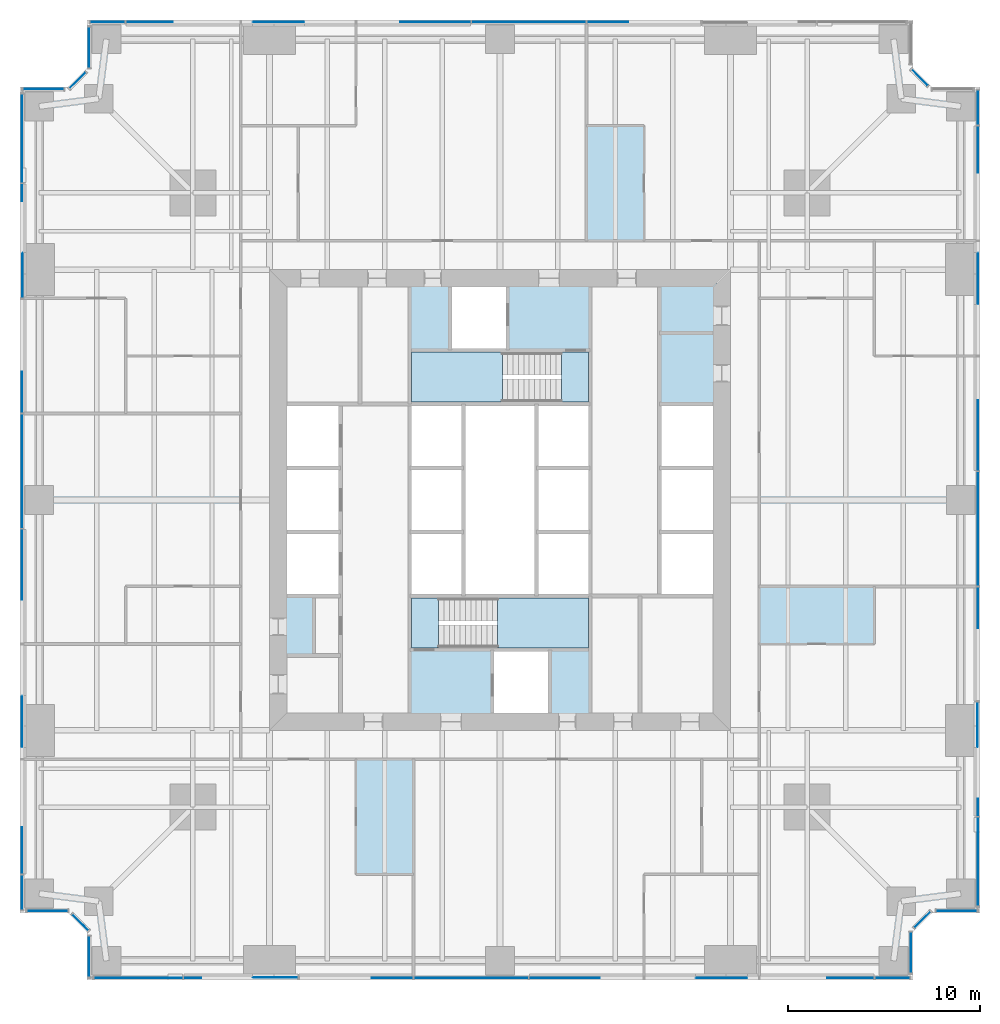
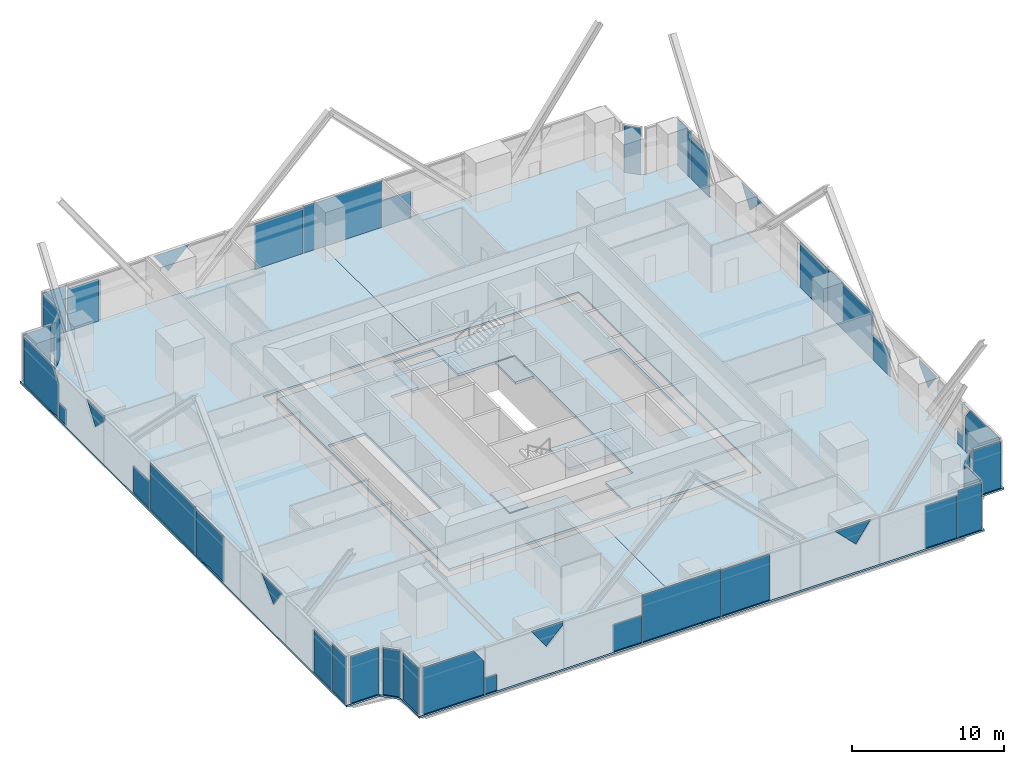
# One storey, part 8 of 13: 43 plates, 7 slabs, 16 elements without a shape of their own.
"""IFC4 building model written with IfcOpenShell, lengths in metres."""

from ifc_helpers import new_model, si_unit, direction, frame, origin, origin_2d, place, context, subcontext, project, spatial, polyline, rectangle, outline, extrude, material, layer, layer_set, type_object, element, aggregate, save


model = new_model("IFC4")

# Units and contexts
model_context = context("Model", 3, precision=1e-05, world=origin(), true_north=direction((0.0, 1.0)))
body_context = subcontext(model_context, "Body", "Model", "MODEL_VIEW")
ifc_project = project(units=[si_unit("LENGTHUNIT", "METRE"), si_unit("AREAUNIT", "SQUARE_METRE"), si_unit("VOLUMEUNIT", "CUBIC_METRE"), si_unit("PLANEANGLEUNIT", "RADIAN"), si_unit("MASSUNIT", "GRAM", prefix="KILO")], contexts=[model_context])

# Site, building, storey
site_placement = place(None, origin())
site = spatial("IfcSite", under=ifc_project, at=site_placement, CompositionType="ELEMENT")
building_placement = place(site_placement, origin())
building = spatial("IfcBuilding", under=site, at=building_placement, Name="Fenwick Lantern Interchange", CompositionType="ELEMENT")
storey_placement = place(building_placement, frame((0.0, 0.0, 55.0)))
storey = spatial("IfcBuildingStorey", under=building, at=storey_placement, Name="L12", CompositionType="ELEMENT", Elevation=55.0)

# Slabs
ifc_material_1 = material(Name="Concrete f'c 35 MPa", Category="concrete")
ifc_layer_1 = layer(ifc_material_1, 0.199951171875)
ifc_layer_set_1 = layer_set([ifc_layer_1], Name="CORE FLOOR SLAB 200")
slab_type_1 = type_object("IfcSlabType", Name="CORE FLOOR SLAB 200", PredefinedType="FLOOR", material=ifc_layer_set_1)
slab_1_placement = place(storey_placement, frame((0.0, 0.0, -0.199951171875)))
element("IfcSlab", 1, at=slab_1_placement, inside=storey, type_object=slab_type_1, Name="L12/SLAB/CORE", PredefinedType="FLOOR", context=body_context, shape_type="SweptSolid", body=[
    extrude(outline(polyline([(13.699951171875, 36.300048828125), (36.300048828125, 36.300048828125), (36.300048828125, 13.699951171875), (13.699951171875, 13.699951171875), (13.699951171875, 36.300048828125)]), holes=[polyline([(13.89990234375, 20.0), (16.699951171875, 20.0), (16.699951171875, 23.333251953125), (16.699951171875, 26.666748046875), (16.699951171875, 30.0), (13.89990234375, 30.0), (13.89990234375, 26.666748046875), (13.89990234375, 23.333251953125), (13.89990234375, 20.0)]), polyline([(20.300048828125, 20.0), (20.300048828125, 17.199951171875), (24.60009765625, 17.199951171875), (24.60009765625, 13.89990234375), (27.60009765625, 13.89990234375), (27.60009765625, 17.199951171875), (29.699951171875, 17.199951171875), (29.699951171875, 20.0), (29.699951171875, 23.333251953125), (29.699951171875, 26.666748046875), (29.699951171875, 30.0), (29.699951171875, 32.800048828125), (25.39990234375, 32.800048828125), (25.39990234375, 36.10009765625), (22.39990234375, 36.10009765625), (22.39990234375, 32.800048828125), (20.300048828125, 32.800048828125), (20.300048828125, 30.0), (20.300048828125, 26.666748046875), (20.300048828125, 23.333251953125), (20.300048828125, 20.0)]), polyline([(33.300048828125, 23.333251953125), (33.300048828125, 20.0), (36.10009765625, 20.0), (36.10009765625, 23.333251953125), (36.10009765625, 26.666748046875), (36.10009765625, 30.0), (33.300048828125, 30.0), (33.300048828125, 26.666748046875), (33.300048828125, 23.333251953125)])]), origin(), (0.0, 0.0, 1.0), 0.199951171875),
])
ifc_material_2 = material(Name="Concrete f'c 35 MPa", Category="concrete")
ifc_layer_2 = layer(ifc_material_2, 0.14990234375)
ifc_layer_set_2 = layer_set([ifc_layer_2], Name="Concrete f'c 35 MPa")
slab_type_2 = type_object("IfcSlabType", Name="FLOOR SLAB 150", PredefinedType="FLOOR", material=ifc_layer_set_2)
slab_2_placement = place(storey_placement, frame((0.0, 0.0, -0.14990234375)))
element("IfcSlab", 2, at=slab_2_placement, inside=storey, type_object=slab_type_2, Name="L12/SLAB/FW", PredefinedType="FLOOR", context=body_context, shape_type="SweptSolid", body=[
    extrude(outline(polyline([(3.5, 0.0), (3.5, 2.5), (2.5, 3.5), (0.0, 3.5), (0.0, 46.5), (2.5, 46.5), (3.5, 47.5), (3.5, 50.0), (25.0, 50.0), (25.0, 37.0), (13.0, 37.0), (13.0, 13.0), (25.0, 13.0), (25.0, 0.0), (3.5, 0.0)])), origin(), (0.0, 0.0, 1.0), 0.14990234375),
])
slab_3_placement = place(storey_placement, frame((0.0, 0.0, -0.14990234375)))
element("IfcSlab", 3, at=slab_3_placement, inside=storey, type_object=slab_type_2, Name="L12/SLAB/FE", PredefinedType="FLOOR", context=body_context, shape_type="SweptSolid", body=[
    extrude(outline(polyline([(46.5, 50.0), (46.5, 47.5), (47.5, 46.5), (50.0, 46.5), (50.0, 3.5), (47.5, 3.5), (46.5, 2.5), (46.5, 0.0), (25.0, 0.0), (25.0, 13.0), (37.0, 13.0), (37.0, 37.0), (25.0, 37.0), (25.0, 50.0), (46.5, 50.0)])), origin(), (0.0, 0.0, 1.0), 0.14990234375),
])

# Curtain wall, plates
ifc_material_3 = material(Name="Aluminium curtain wall frame", Category="aluminium")
curtain_wall_type = type_object("IfcCurtainWallType", Name="OFFICE CURTAIN WALL", PredefinedType="USERDEFINED", material=ifc_material_3)
curtain_wall_1_placement = place(storey_placement, origin())
curtain_wall_1 = element("IfcCurtainWall", 4, at=curtain_wall_1_placement, inside=storey, type_object=curtain_wall_type, Name="Office curtain wall 01", ObjectType="OFFICE CURTAIN WALL", PredefinedType="USERDEFINED")
ifc_material_4 = material(Name="Vision glass, clear low-iron double glazed", Category="glass")
ifc_layer_3 = layer(ifc_material_4, 0.031982421875)
ifc_layer_set_3 = layer_set([ifc_layer_3], Name="OFFICE CURTAIN WALL PANEL 32")
plate_type = type_object("IfcPlateType", Name="OFFICE CURTAIN WALL PANEL 32", PredefinedType="CURTAIN_PANEL", material=ifc_layer_set_3)
plate_1_placement = place(storey_placement, frame((3.60009765625, 0.10009765625, 0.0), z_axis=(0.0, 0.0, 1.0), x_axis=(1.0, 0.0, 0.0)))
plate_1 = element("IfcPlate", 5, at=plate_1_placement, type_object=plate_type, Name="L12/CW/01/P00a", PredefinedType="CURTAIN_PANEL", context=body_context, shape_type="SweptSolid", body=[
    extrude(outline(polyline([(0.264892578125, 0.0), (4.867431640625, 0.0), (4.867431640625, 2.6787109375), (4.108642578125, 3.75), (0.264892578125, 3.75), (0.264892578125, 0.0)])), frame((0.0, 0.01611328125, 0.0), z_axis=(0.0, -1.0, 0.0), x_axis=(1.0, 0.0, 0.0)), (0.0, 0.0, 1.0), 0.031982421875),
])
plate_2_placement = place(storey_placement, frame((3.60009765625, 0.10009765625, 0.0), z_axis=(0.0, 0.0, 1.0), x_axis=(1.0, 0.0, 0.0)))
plate_2 = element("IfcPlate", 6, at=plate_2_placement, type_object=plate_type, Name="L12/CW/01/P01a", PredefinedType="CURTAIN_PANEL", context=body_context, shape_type="SweptSolid", body=[
    extrude(outline(polyline([(4.9326171875, 0.0), (5.847412109375, 0.0), (5.847412109375, 1.295166015625), (4.9326171875, 1.295166015625), (4.9326171875, 0.0)])), frame((0.0, 0.01611328125, 0.0), z_axis=(0.0, -1.0, 0.0), x_axis=(1.0, 0.0, 0.0)), (0.0, 0.0, 1.0), 0.031982421875),
])
plate_3_placement = place(storey_placement, frame((3.60009765625, 0.10009765625, 2.17529296875), z_axis=(0.0, 0.0, 1.0), x_axis=(1.0, 0.0, 0.0)))
plate_3 = element("IfcPlate", 7, at=plate_3_placement, type_object=plate_type, Name="L12/CW/01/P01b", PredefinedType="CURTAIN_PANEL", context=body_context, shape_type="SweptSolid", body=[
    extrude(outline(polyline([(9.6357421875, 0.0), (10.867431640625, 1.231689453125), (10.867431640625, 1.57470703125), (8.520263671875, 1.57470703125), (9.6357421875, 0.0)])), frame((0.0, 0.0498046875, 0.0), z_axis=(0.0, -1.0, 0.0), x_axis=(1.0, 0.0, 0.0)), (0.0, 0.0, 1.0), 0.031982421875),
])
plate_4_placement = place(storey_placement, frame((3.60009765625, 0.10009765625, 0.0), z_axis=(0.0, 0.0, 1.0), x_axis=(1.0, 0.0, 0.0)))
plate_4 = element("IfcPlate", 8, at=plate_4_placement, type_object=plate_type, Name="L12/CW/01/P02a", PredefinedType="CURTAIN_PANEL", context=body_context, shape_type="SweptSolid", body=[
    extrude(outline(polyline([(14.711669921875, 0.0), (16.867431640625, 0.0), (16.867431640625, 2.159912109375), (14.711669921875, 2.159912109375), (14.711669921875, 0.0)])), frame((0.0, 0.01611328125, 0.0), z_axis=(0.0, -1.0, 0.0), x_axis=(1.0, 0.0, 0.0)), (0.0, 0.0, 1.0), 0.031982421875),
])
plate_5_placement = place(storey_placement, frame((23.5, 0.10009765625, 0.0), z_axis=(0.0, 0.0, 1.0), x_axis=(1.0, 0.0, 0.0)))
plate_5 = element("IfcPlate", 9, at=plate_5_placement, type_object=plate_type, Name="L12/CW/01/P03", PredefinedType="CURTAIN_PANEL", context=body_context, shape_type="SweptSolid", body=[
    extrude(rectangle(XDim=5.93505859375, YDim=0.031982421875, at=origin_2d()), origin(), (0.0, 0.0, 1.0), 3.75),
])
plate_6_placement = place(storey_placement, frame((3.60009765625, 0.10009765625, 0.0), z_axis=(0.0, 0.0, 1.0), x_axis=(1.0, 0.0, 0.0)))
plate_6 = element("IfcPlate", 10, at=plate_6_placement, type_object=plate_type, Name="L12/CW/01/P04a", PredefinedType="CURTAIN_PANEL", context=body_context, shape_type="SweptSolid", body=[
    extrude(outline(polyline([(22.9326171875, 0.0), (26.592529296875, 0.0), (26.592529296875, 3.656005859375), (22.9326171875, 3.656005859375), (22.9326171875, 0.0)])), frame((0.0, 0.01611328125, 0.0), z_axis=(0.0, -1.0, 0.0), x_axis=(1.0, 0.0, 0.0)), (0.0, 0.0, 1.0), 0.031982421875),
])
plate_7_placement = place(storey_placement, frame((3.60009765625, 0.10009765625, 2.17529296875), z_axis=(0.0, 0.0, 1.0), x_axis=(1.0, 0.0, 0.0)))
plate_7 = element("IfcPlate", 11, at=plate_7_placement, type_object=plate_type, Name="L12/CW/01/P05a", PredefinedType="CURTAIN_PANEL", context=body_context, shape_type="SweptSolid", body=[
    extrude(outline(polyline([(33.164306640625, 0.0), (34.27978515625, 1.57470703125), (31.589599609375, 1.57470703125), (33.164306640625, 0.0)])), frame((0.0, 0.01611328125, 0.0), z_axis=(0.0, -1.0, 0.0), x_axis=(1.0, 0.0, 0.0)), (0.0, 0.0, 1.0), 0.031982421875),
])
plate_8_placement = place(storey_placement, frame((3.60009765625, 0.10009765625, 0.0), z_axis=(0.0, 0.0, 1.0), x_axis=(1.0, 0.0, 0.0)))
plate_8 = element("IfcPlate", 12, at=plate_8_placement, type_object=plate_type, Name="L12/CW/01/P06a", PredefinedType="CURTAIN_PANEL", context=body_context, shape_type="SweptSolid", body=[
    extrude(outline(polyline([(38.449951171875, 0.0), (40.867431640625, 0.0), (40.867431640625, 3.409423828125), (38.449951171875, 3.409423828125), (38.449951171875, 0.0)])), frame((0.0, 0.01611328125, 0.0), z_axis=(0.0, -1.0, 0.0), x_axis=(1.0, 0.0, 0.0)), (0.0, 0.0, 1.0), 0.031982421875),
])
plate_9_placement = place(storey_placement, frame((45.433837890625, 0.10009765625, 0.0), z_axis=(0.0, 0.0, 1.0), x_axis=(1.0, 0.0, 0.0)))
plate_9 = element("IfcPlate", 13, at=plate_9_placement, type_object=plate_type, Name="L12/CW/01/P07", PredefinedType="CURTAIN_PANEL", context=body_context, shape_type="SweptSolid", body=[
    extrude(rectangle(XDim=1.802490234375, YDim=0.031982421875, at=origin_2d()), origin(), (0.0, 0.0, 1.0), 3.75),
])
aggregate(curtain_wall_1, [plate_1, plate_2, plate_3, plate_4, plate_5, plate_6, plate_7, plate_8, plate_9])

# Curtain wall, plate
curtain_wall_2_placement = place(storey_placement, origin())
curtain_wall_2 = element("IfcCurtainWall", 14, at=curtain_wall_2_placement, inside=storey, type_object=curtain_wall_type, Name="Office curtain wall 02", ObjectType="OFFICE CURTAIN WALL", PredefinedType="USERDEFINED")
plate_10_placement = place(storey_placement, frame((46.39990234375, 1.420654296875, 0.0), z_axis=(0.0, 0.0, 1.0), x_axis=(0.0, 1.0, 0.0)))
plate_10 = element("IfcPlate", 15, at=plate_10_placement, type_object=plate_type, Name="L12/CW/02/P00", PredefinedType="CURTAIN_PANEL", context=body_context, shape_type="SweptSolid", body=[
    extrude(rectangle(XDim=2.111328125, YDim=0.031982421875, at=origin_2d()), origin(), (0.0, 0.0, 1.0), 3.75),
])
aggregate(curtain_wall_2, [plate_10])

curtain_wall_3_placement = place(storey_placement, origin())
curtain_wall_3 = element("IfcCurtainWall", 16, at=curtain_wall_3_placement, inside=storey, type_object=curtain_wall_type, Name="Office curtain wall 03", ObjectType="OFFICE CURTAIN WALL", PredefinedType="USERDEFINED")
plate_11_placement = place(storey_placement, frame((47.0, 3.141357421875, 0.0), z_axis=(0.0, 0.0, 1.0), x_axis=(0.707106781187, 0.707106781187, 0.0)))
plate_11 = element("IfcPlate", 17, at=plate_11_placement, type_object=plate_type, Name="L12/CW/03/P00", PredefinedType="CURTAIN_PANEL", context=body_context, shape_type="SweptSolid", body=[
    extrude(rectangle(XDim=1.1669921875, YDim=0.031982421875, at=origin_2d()), origin(), (0.0, 0.0, 1.0), 3.75),
])
aggregate(curtain_wall_3, [plate_11])

curtain_wall_4_placement = place(storey_placement, origin())
curtain_wall_4 = element("IfcCurtainWall", 18, at=curtain_wall_4_placement, inside=storey, type_object=curtain_wall_type, Name="Office curtain wall 04", ObjectType="OFFICE CURTAIN WALL", PredefinedType="USERDEFINED")
plate_12_placement = place(storey_placement, frame((48.779296875, 3.60009765625, 0.0), z_axis=(0.0, 0.0, 1.0), x_axis=(1.0, 0.0, 0.0)))
plate_12 = element("IfcPlate", 19, at=plate_12_placement, type_object=plate_type, Name="L12/CW/04/P00", PredefinedType="CURTAIN_PANEL", context=body_context, shape_type="SweptSolid", body=[
    extrude(rectangle(XDim=2.111328125, YDim=0.031982421875, at=origin_2d()), origin(), (0.0, 0.0, 1.0), 3.75),
])
aggregate(curtain_wall_4, [plate_12])

# Curtain wall, plates
curtain_wall_5_placement = place(storey_placement, origin())
curtain_wall_5 = element("IfcCurtainWall", 20, at=curtain_wall_5_placement, inside=storey, type_object=curtain_wall_type, Name="Office curtain wall 05", ObjectType="OFFICE CURTAIN WALL", PredefinedType="USERDEFINED")
plate_13_placement = place(storey_placement, frame((49.89990234375, 3.60009765625, 0.0), z_axis=(0.0, 0.0, 1.0), x_axis=(0.0, 1.0, 0.0)))
plate_13 = element("IfcPlate", 21, at=plate_13_placement, type_object=plate_type, Name="L12/CW/05/P00a", PredefinedType="CURTAIN_PANEL", context=body_context, shape_type="SweptSolid", body=[
    extrude(outline(polyline([(0.264892578125, 0.0), (4.867431640625, 0.0), (4.867431640625, 2.6787109375), (4.108642578125, 3.75), (0.264892578125, 3.75), (0.264892578125, 0.0)])), frame((0.0, 0.01611328125, 0.0), z_axis=(0.0, -1.0, 0.0), x_axis=(1.0, 0.0, 0.0)), (0.0, 0.0, 1.0), 0.031982421875),
])
plate_14_placement = place(storey_placement, frame((49.89990234375, 3.60009765625, 0.0), z_axis=(0.0, 0.0, 1.0), x_axis=(0.0, 1.0, 0.0)))
plate_14 = element("IfcPlate", 22, at=plate_14_placement, type_object=plate_type, Name="L12/CW/05/P01a", PredefinedType="CURTAIN_PANEL", context=body_context, shape_type="SweptSolid", body=[
    extrude(outline(polyline([(4.9326171875, 0.0), (5.847412109375, 0.0), (5.847412109375, 1.295166015625), (4.9326171875, 1.295166015625), (4.9326171875, 0.0)])), frame((0.0, 0.01611328125, 0.0), z_axis=(0.0, -1.0, 0.0), x_axis=(1.0, 0.0, 0.0)), (0.0, 0.0, 1.0), 0.031982421875),
])
plate_15_placement = place(storey_placement, frame((49.89990234375, 3.60009765625, 2.17529296875), z_axis=(0.0, 0.0, 1.0), x_axis=(0.0, 1.0, 0.0)))
plate_15 = element("IfcPlate", 23, at=plate_15_placement, type_object=plate_type, Name="L12/CW/05/P01b", PredefinedType="CURTAIN_PANEL", context=body_context, shape_type="SweptSolid", body=[
    extrude(outline(polyline([(9.6357421875, 0.0), (10.867431640625, 1.231689453125), (10.867431640625, 1.57470703125), (8.520263671875, 1.57470703125), (9.6357421875, 0.0)])), frame((0.0, 0.0498046875, 0.0), z_axis=(0.0, -1.0, 0.0), x_axis=(1.0, 0.0, 0.0)), (0.0, 0.0, 1.0), 0.031982421875),
])
plate_16_placement = place(storey_placement, frame((49.89990234375, 3.60009765625, 0.0), z_axis=(0.0, 0.0, 1.0), x_axis=(0.0, 1.0, 0.0)))
plate_16 = element("IfcPlate", 24, at=plate_16_placement, type_object=plate_type, Name="L12/CW/05/P02a", PredefinedType="CURTAIN_PANEL", context=body_context, shape_type="SweptSolid", body=[
    extrude(outline(polyline([(14.711669921875, 0.0), (16.867431640625, 0.0), (16.867431640625, 2.159912109375), (14.711669921875, 2.159912109375), (14.711669921875, 0.0)])), frame((0.0, 0.01611328125, 0.0), z_axis=(0.0, -1.0, 0.0), x_axis=(1.0, 0.0, 0.0)), (0.0, 0.0, 1.0), 0.031982421875),
])
plate_17_placement = place(storey_placement, frame((49.89990234375, 23.5, 0.0), z_axis=(0.0, 0.0, 1.0), x_axis=(0.0, 1.0, 0.0)))
plate_17 = element("IfcPlate", 25, at=plate_17_placement, type_object=plate_type, Name="L12/CW/05/P03", PredefinedType="CURTAIN_PANEL", context=body_context, shape_type="SweptSolid", body=[
    extrude(rectangle(XDim=5.93505859375, YDim=0.031982421875, at=origin_2d()), origin(), (0.0, 0.0, 1.0), 3.75),
])
plate_18_placement = place(storey_placement, frame((49.89990234375, 3.60009765625, 0.0), z_axis=(0.0, 0.0, 1.0), x_axis=(0.0, 1.0, 0.0)))
plate_18 = element("IfcPlate", 26, at=plate_18_placement, type_object=plate_type, Name="L12/CW/05/P04a", PredefinedType="CURTAIN_PANEL", context=body_context, shape_type="SweptSolid", body=[
    extrude(outline(polyline([(22.9326171875, 0.0), (26.592529296875, 0.0), (26.592529296875, 3.656005859375), (22.9326171875, 3.656005859375), (22.9326171875, 0.0)])), frame((0.0, 0.01611328125, 0.0), z_axis=(0.0, -1.0, 0.0), x_axis=(1.0, 0.0, 0.0)), (0.0, 0.0, 1.0), 0.031982421875),
])
plate_19_placement = place(storey_placement, frame((49.89990234375, 3.60009765625, 2.17529296875), z_axis=(0.0, 0.0, 1.0), x_axis=(0.0, 1.0, 0.0)))
plate_19 = element("IfcPlate", 27, at=plate_19_placement, type_object=plate_type, Name="L12/CW/05/P05a", PredefinedType="CURTAIN_PANEL", context=body_context, shape_type="SweptSolid", body=[
    extrude(outline(polyline([(33.164306640625, 0.0), (34.27978515625, 1.57470703125), (31.589599609375, 1.57470703125), (33.164306640625, 0.0)])), frame((0.0, 0.01611328125, 0.0), z_axis=(0.0, -1.0, 0.0), x_axis=(1.0, 0.0, 0.0)), (0.0, 0.0, 1.0), 0.031982421875),
])
plate_20_placement = place(storey_placement, frame((49.89990234375, 3.60009765625, 0.0), z_axis=(0.0, 0.0, 1.0), x_axis=(0.0, 1.0, 0.0)))
plate_20 = element("IfcPlate", 28, at=plate_20_placement, type_object=plate_type, Name="L12/CW/05/P06a", PredefinedType="CURTAIN_PANEL", context=body_context, shape_type="SweptSolid", body=[
    extrude(outline(polyline([(38.449951171875, 0.0), (40.867431640625, 0.0), (40.867431640625, 3.409423828125), (38.449951171875, 3.409423828125), (38.449951171875, 0.0)])), frame((0.0, 0.01611328125, 0.0), z_axis=(0.0, -1.0, 0.0), x_axis=(1.0, 0.0, 0.0)), (0.0, 0.0, 1.0), 0.031982421875),
])
plate_21_placement = place(storey_placement, frame((49.89990234375, 45.433837890625, 0.0), z_axis=(0.0, 0.0, 1.0), x_axis=(0.0, 1.0, 0.0)))
plate_21 = element("IfcPlate", 29, at=plate_21_placement, type_object=plate_type, Name="L12/CW/05/P07", PredefinedType="CURTAIN_PANEL", context=body_context, shape_type="SweptSolid", body=[
    extrude(rectangle(XDim=1.802490234375, YDim=0.031982421875, at=origin_2d()), origin(), (0.0, 0.0, 1.0), 3.75),
])
aggregate(curtain_wall_5, [plate_13, plate_14, plate_15, plate_16, plate_17, plate_18, plate_19, plate_20, plate_21])

# Curtain wall, plate
curtain_wall_6_placement = place(storey_placement, origin())
curtain_wall_6 = element("IfcCurtainWall", 30, at=curtain_wall_6_placement, inside=storey, type_object=curtain_wall_type, Name="Office curtain wall 07", ObjectType="OFFICE CURTAIN WALL", PredefinedType="USERDEFINED")
plate_22_placement = place(storey_placement, frame((46.858642578125, 47.0, 0.0), z_axis=(0.0, 0.0, 1.0), x_axis=(-0.707106781187, 0.707106781187, 0.0)))
plate_22 = element("IfcPlate", 31, at=plate_22_placement, type_object=plate_type, Name="L12/CW/07/P00", PredefinedType="CURTAIN_PANEL", context=body_context, shape_type="SweptSolid", body=[
    extrude(rectangle(XDim=1.1669921875, YDim=0.031982421875, at=origin_2d()), origin(), (0.0, 0.0, 1.0), 3.75),
])
aggregate(curtain_wall_6, [plate_22])

# Curtain wall, plates
curtain_wall_7_placement = place(storey_placement, origin())
curtain_wall_7 = element("IfcCurtainWall", 32, at=curtain_wall_7_placement, inside=storey, type_object=curtain_wall_type, Name="Office curtain wall 09", ObjectType="OFFICE CURTAIN WALL", PredefinedType="USERDEFINED")
plate_23_placement = place(storey_placement, frame((46.39990234375, 49.89990234375, 0.0), z_axis=(0.0, 0.0, 1.0), x_axis=(-1.0, 0.0, 0.0)))
plate_23 = element("IfcPlate", 33, at=plate_23_placement, type_object=plate_type, Name="L12/CW/09/P02a", PredefinedType="CURTAIN_PANEL", context=body_context, shape_type="SweptSolid", body=[
    extrude(outline(polyline([(14.711669921875, 0.0), (16.867431640625, 0.0), (16.867431640625, 2.159912109375), (14.711669921875, 2.159912109375), (14.711669921875, 0.0)])), frame((0.0, 0.01611328125, 0.0), z_axis=(0.0, -1.0, 0.0), x_axis=(1.0, 0.0, 0.0)), (0.0, 0.0, 1.0), 0.031982421875),
])
plate_24_placement = place(storey_placement, frame((26.5, 49.89990234375, 0.0), z_axis=(0.0, 0.0, 1.0), x_axis=(-1.0, 0.0, 0.0)))
plate_24 = element("IfcPlate", 34, at=plate_24_placement, type_object=plate_type, Name="L12/CW/09/P03", PredefinedType="CURTAIN_PANEL", context=body_context, shape_type="SweptSolid", body=[
    extrude(rectangle(XDim=5.93505859375, YDim=0.031982421875, at=origin_2d()), origin(), (0.0, 0.0, 1.0), 3.75),
])
plate_25_placement = place(storey_placement, frame((46.39990234375, 49.89990234375, 0.0), z_axis=(0.0, 0.0, 1.0), x_axis=(-1.0, 0.0, 0.0)))
plate_25 = element("IfcPlate", 35, at=plate_25_placement, type_object=plate_type, Name="L12/CW/09/P04a", PredefinedType="CURTAIN_PANEL", context=body_context, shape_type="SweptSolid", body=[
    extrude(outline(polyline([(22.9326171875, 0.0), (26.592529296875, 0.0), (26.592529296875, 3.656005859375), (22.9326171875, 3.656005859375), (22.9326171875, 0.0)])), frame((0.0, 0.01611328125, 0.0), z_axis=(0.0, -1.0, 0.0), x_axis=(1.0, 0.0, 0.0)), (0.0, 0.0, 1.0), 0.031982421875),
])
plate_26_placement = place(storey_placement, frame((46.39990234375, 49.89990234375, 2.17529296875), z_axis=(0.0, 0.0, 1.0), x_axis=(-1.0, 0.0, 0.0)))
plate_26 = element("IfcPlate", 36, at=plate_26_placement, type_object=plate_type, Name="L12/CW/09/P05a", PredefinedType="CURTAIN_PANEL", context=body_context, shape_type="SweptSolid", body=[
    extrude(outline(polyline([(33.164306640625, 0.0), (34.27978515625, 1.57470703125), (31.589599609375, 1.57470703125), (33.164306640625, 0.0)])), frame((0.0, 0.01611328125, 0.0), z_axis=(0.0, -1.0, 0.0), x_axis=(1.0, 0.0, 0.0)), (0.0, 0.0, 1.0), 0.031982421875),
])
plate_27_placement = place(storey_placement, frame((46.39990234375, 49.89990234375, 0.0), z_axis=(0.0, 0.0, 1.0), x_axis=(-1.0, 0.0, 0.0)))
plate_27 = element("IfcPlate", 37, at=plate_27_placement, type_object=plate_type, Name="L12/CW/09/P06a", PredefinedType="CURTAIN_PANEL", context=body_context, shape_type="SweptSolid", body=[
    extrude(outline(polyline([(38.449951171875, 0.0), (40.867431640625, 0.0), (40.867431640625, 3.409423828125), (38.449951171875, 3.409423828125), (38.449951171875, 0.0)])), frame((0.0, 0.01611328125, 0.0), z_axis=(0.0, -1.0, 0.0), x_axis=(1.0, 0.0, 0.0)), (0.0, 0.0, 1.0), 0.031982421875),
])
plate_28_placement = place(storey_placement, frame((4.566162109375, 49.89990234375, 0.0), z_axis=(0.0, 0.0, 1.0), x_axis=(-1.0, 0.0, 0.0)))
plate_28 = element("IfcPlate", 38, at=plate_28_placement, type_object=plate_type, Name="L12/CW/09/P07", PredefinedType="CURTAIN_PANEL", context=body_context, shape_type="SweptSolid", body=[
    extrude(rectangle(XDim=1.802490234375, YDim=0.031982421875, at=origin_2d()), origin(), (0.0, 0.0, 1.0), 3.75),
])
aggregate(curtain_wall_7, [plate_23, plate_24, plate_25, plate_26, plate_27, plate_28])

# Curtain wall, plate
curtain_wall_8_placement = place(storey_placement, origin())
curtain_wall_8 = element("IfcCurtainWall", 39, at=curtain_wall_8_placement, inside=storey, type_object=curtain_wall_type, Name="Office curtain wall 10", ObjectType="OFFICE CURTAIN WALL", PredefinedType="USERDEFINED")
plate_29_placement = place(storey_placement, frame((3.60009765625, 48.579345703125, 0.0), z_axis=(0.0, 0.0, 1.0), x_axis=(0.0, -1.0, 0.0)))
plate_29 = element("IfcPlate", 40, at=plate_29_placement, type_object=plate_type, Name="L12/CW/10/P00", PredefinedType="CURTAIN_PANEL", context=body_context, shape_type="SweptSolid", body=[
    extrude(rectangle(XDim=2.111328125, YDim=0.031982421875, at=origin_2d()), origin(), (0.0, 0.0, 1.0), 3.75),
])
aggregate(curtain_wall_8, [plate_29])

curtain_wall_9_placement = place(storey_placement, origin())
curtain_wall_9 = element("IfcCurtainWall", 41, at=curtain_wall_9_placement, inside=storey, type_object=curtain_wall_type, Name="Office curtain wall 11", ObjectType="OFFICE CURTAIN WALL", PredefinedType="USERDEFINED")
plate_30_placement = place(storey_placement, frame((3.0, 46.858642578125, 0.0), z_axis=(0.0, 0.0, 1.0), x_axis=(-0.707106781187, -0.707106781187, 0.0)))
plate_30 = element("IfcPlate", 42, at=plate_30_placement, type_object=plate_type, Name="L12/CW/11/P00", PredefinedType="CURTAIN_PANEL", context=body_context, shape_type="SweptSolid", body=[
    extrude(rectangle(XDim=1.1669921875, YDim=0.031982421875, at=origin_2d()), origin(), (0.0, 0.0, 1.0), 3.75),
])
aggregate(curtain_wall_9, [plate_30])

curtain_wall_10_placement = place(storey_placement, origin())
curtain_wall_10 = element("IfcCurtainWall", 43, at=curtain_wall_10_placement, inside=storey, type_object=curtain_wall_type, Name="Office curtain wall 12", ObjectType="OFFICE CURTAIN WALL", PredefinedType="USERDEFINED")
plate_31_placement = place(storey_placement, frame((1.220703125, 46.39990234375, 0.0), z_axis=(0.0, 0.0, 1.0), x_axis=(-1.0, 0.0, 0.0)))
plate_31 = element("IfcPlate", 44, at=plate_31_placement, type_object=plate_type, Name="L12/CW/12/P00", PredefinedType="CURTAIN_PANEL", context=body_context, shape_type="SweptSolid", body=[
    extrude(rectangle(XDim=2.111328125, YDim=0.031982421875, at=origin_2d()), origin(), (0.0, 0.0, 1.0), 3.75),
])
aggregate(curtain_wall_10, [plate_31])

# Curtain wall, plates
curtain_wall_11_placement = place(storey_placement, origin())
curtain_wall_11 = element("IfcCurtainWall", 45, at=curtain_wall_11_placement, inside=storey, type_object=curtain_wall_type, Name="Office curtain wall 13", ObjectType="OFFICE CURTAIN WALL", PredefinedType="USERDEFINED")
plate_32_placement = place(storey_placement, frame((0.10009765625, 46.39990234375, 0.0), z_axis=(0.0, 0.0, 1.0), x_axis=(0.0, -1.0, 0.0)))
plate_32 = element("IfcPlate", 46, at=plate_32_placement, type_object=plate_type, Name="L12/CW/13/P00a", PredefinedType="CURTAIN_PANEL", context=body_context, shape_type="SweptSolid", body=[
    extrude(outline(polyline([(0.264892578125, 0.0), (4.867431640625, 0.0), (4.867431640625, 2.6787109375), (4.108642578125, 3.75), (0.264892578125, 3.75), (0.264892578125, 0.0)])), frame((0.0, 0.01611328125, 0.0), z_axis=(0.0, -1.0, 0.0), x_axis=(1.0, 0.0, 0.0)), (0.0, 0.0, 1.0), 0.031982421875),
])
plate_33_placement = place(storey_placement, frame((0.10009765625, 46.39990234375, 0.0), z_axis=(0.0, 0.0, 1.0), x_axis=(0.0, -1.0, 0.0)))
plate_33 = element("IfcPlate", 47, at=plate_33_placement, type_object=plate_type, Name="L12/CW/13/P01a", PredefinedType="CURTAIN_PANEL", context=body_context, shape_type="SweptSolid", body=[
    extrude(outline(polyline([(4.9326171875, 0.0), (5.847412109375, 0.0), (5.847412109375, 1.295166015625), (4.9326171875, 1.295166015625), (4.9326171875, 0.0)])), frame((0.0, 0.01611328125, 0.0), z_axis=(0.0, -1.0, 0.0), x_axis=(1.0, 0.0, 0.0)), (0.0, 0.0, 1.0), 0.031982421875),
])
plate_34_placement = place(storey_placement, frame((0.10009765625, 46.39990234375, 2.17529296875), z_axis=(0.0, 0.0, 1.0), x_axis=(0.0, -1.0, 0.0)))
plate_34 = element("IfcPlate", 48, at=plate_34_placement, type_object=plate_type, Name="L12/CW/13/P01b", PredefinedType="CURTAIN_PANEL", context=body_context, shape_type="SweptSolid", body=[
    extrude(outline(polyline([(9.6357421875, 0.0), (10.867431640625, 1.231689453125), (10.867431640625, 1.57470703125), (8.520263671875, 1.57470703125), (9.6357421875, 0.0)])), frame((0.0, 0.0498046875, 0.0), z_axis=(0.0, -1.0, 0.0), x_axis=(1.0, 0.0, 0.0)), (0.0, 0.0, 1.0), 0.031982421875),
])
plate_35_placement = place(storey_placement, frame((0.10009765625, 46.39990234375, 0.0), z_axis=(0.0, 0.0, 1.0), x_axis=(0.0, -1.0, 0.0)))
plate_35 = element("IfcPlate", 49, at=plate_35_placement, type_object=plate_type, Name="L12/CW/13/P02a", PredefinedType="CURTAIN_PANEL", context=body_context, shape_type="SweptSolid", body=[
    extrude(outline(polyline([(14.711669921875, 0.0), (16.867431640625, 0.0), (16.867431640625, 2.159912109375), (14.711669921875, 2.159912109375), (14.711669921875, 0.0)])), frame((0.0, 0.01611328125, 0.0), z_axis=(0.0, -1.0, 0.0), x_axis=(1.0, 0.0, 0.0)), (0.0, 0.0, 1.0), 0.031982421875),
])
plate_36_placement = place(storey_placement, frame((0.10009765625, 26.5, 0.0), z_axis=(0.0, 0.0, 1.0), x_axis=(0.0, -1.0, 0.0)))
plate_36 = element("IfcPlate", 50, at=plate_36_placement, type_object=plate_type, Name="L12/CW/13/P03", PredefinedType="CURTAIN_PANEL", context=body_context, shape_type="SweptSolid", body=[
    extrude(rectangle(XDim=5.93505859375, YDim=0.031982421875, at=origin_2d()), origin(), (0.0, 0.0, 1.0), 3.75),
])
plate_37_placement = place(storey_placement, frame((0.10009765625, 46.39990234375, 0.0), z_axis=(0.0, 0.0, 1.0), x_axis=(0.0, -1.0, 0.0)))
plate_37 = element("IfcPlate", 51, at=plate_37_placement, type_object=plate_type, Name="L12/CW/13/P04a", PredefinedType="CURTAIN_PANEL", context=body_context, shape_type="SweptSolid", body=[
    extrude(outline(polyline([(22.9326171875, 0.0), (26.592529296875, 0.0), (26.592529296875, 3.656005859375), (22.9326171875, 3.656005859375), (22.9326171875, 0.0)])), frame((0.0, 0.01611328125, 0.0), z_axis=(0.0, -1.0, 0.0), x_axis=(1.0, 0.0, 0.0)), (0.0, 0.0, 1.0), 0.031982421875),
])
plate_38_placement = place(storey_placement, frame((0.10009765625, 46.39990234375, 2.17529296875), z_axis=(0.0, 0.0, 1.0), x_axis=(0.0, -1.0, 0.0)))
plate_38 = element("IfcPlate", 52, at=plate_38_placement, type_object=plate_type, Name="L12/CW/13/P05a", PredefinedType="CURTAIN_PANEL", context=body_context, shape_type="SweptSolid", body=[
    extrude(outline(polyline([(33.164306640625, 0.0), (34.27978515625, 1.57470703125), (31.589599609375, 1.57470703125), (33.164306640625, 0.0)])), frame((0.0, 0.01611328125, 0.0), z_axis=(0.0, -1.0, 0.0), x_axis=(1.0, 0.0, 0.0)), (0.0, 0.0, 1.0), 0.031982421875),
])
plate_39_placement = place(storey_placement, frame((0.10009765625, 46.39990234375, 0.0), z_axis=(0.0, 0.0, 1.0), x_axis=(0.0, -1.0, 0.0)))
plate_39 = element("IfcPlate", 53, at=plate_39_placement, type_object=plate_type, Name="L12/CW/13/P06a", PredefinedType="CURTAIN_PANEL", context=body_context, shape_type="SweptSolid", body=[
    extrude(outline(polyline([(38.449951171875, 0.0), (40.867431640625, 0.0), (40.867431640625, 3.409423828125), (38.449951171875, 3.409423828125), (38.449951171875, 0.0)])), frame((0.0, 0.01611328125, 0.0), z_axis=(0.0, -1.0, 0.0), x_axis=(1.0, 0.0, 0.0)), (0.0, 0.0, 1.0), 0.031982421875),
])
plate_40_placement = place(storey_placement, frame((0.10009765625, 4.566162109375, 0.0), z_axis=(0.0, 0.0, 1.0), x_axis=(0.0, -1.0, 0.0)))
plate_40 = element("IfcPlate", 54, at=plate_40_placement, type_object=plate_type, Name="L12/CW/13/P07", PredefinedType="CURTAIN_PANEL", context=body_context, shape_type="SweptSolid", body=[
    extrude(rectangle(XDim=1.802490234375, YDim=0.031982421875, at=origin_2d()), origin(), (0.0, 0.0, 1.0), 3.75),
])
aggregate(curtain_wall_11, [plate_32, plate_33, plate_34, plate_35, plate_36, plate_37, plate_38, plate_39, plate_40])

# Curtain wall, plate
curtain_wall_12_placement = place(storey_placement, origin())
curtain_wall_12 = element("IfcCurtainWall", 55, at=curtain_wall_12_placement, inside=storey, type_object=curtain_wall_type, Name="Office curtain wall 14", ObjectType="OFFICE CURTAIN WALL", PredefinedType="USERDEFINED")
plate_41_placement = place(storey_placement, frame((1.420654296875, 3.60009765625, 0.0), z_axis=(0.0, 0.0, 1.0), x_axis=(1.0, 0.0, 0.0)))
plate_41 = element("IfcPlate", 56, at=plate_41_placement, type_object=plate_type, Name="L12/CW/14/P00", PredefinedType="CURTAIN_PANEL", context=body_context, shape_type="SweptSolid", body=[
    extrude(rectangle(XDim=2.111328125, YDim=0.031982421875, at=origin_2d()), origin(), (0.0, 0.0, 1.0), 3.75),
])
aggregate(curtain_wall_12, [plate_41])

curtain_wall_13_placement = place(storey_placement, origin())
curtain_wall_13 = element("IfcCurtainWall", 57, at=curtain_wall_13_placement, inside=storey, type_object=curtain_wall_type, Name="Office curtain wall 15", ObjectType="OFFICE CURTAIN WALL", PredefinedType="USERDEFINED")
plate_42_placement = place(storey_placement, frame((3.141357421875, 3.0, 0.0), z_axis=(0.0, 0.0, 1.0), x_axis=(0.707106781187, -0.707106781187, 0.0)))
plate_42 = element("IfcPlate", 58, at=plate_42_placement, type_object=plate_type, Name="L12/CW/15/P00", PredefinedType="CURTAIN_PANEL", context=body_context, shape_type="SweptSolid", body=[
    extrude(rectangle(XDim=1.1669921875, YDim=0.031982421875, at=origin_2d()), origin(), (0.0, 0.0, 1.0), 3.75),
])
aggregate(curtain_wall_13, [plate_42])

curtain_wall_14_placement = place(storey_placement, origin())
curtain_wall_14 = element("IfcCurtainWall", 59, at=curtain_wall_14_placement, inside=storey, type_object=curtain_wall_type, Name="Office curtain wall 16", ObjectType="OFFICE CURTAIN WALL", PredefinedType="USERDEFINED")
plate_43_placement = place(storey_placement, frame((3.60009765625, 1.220703125, 0.0), z_axis=(0.0, 0.0, 1.0), x_axis=(0.0, -1.0, 0.0)))
plate_43 = element("IfcPlate", 60, at=plate_43_placement, type_object=plate_type, Name="L12/CW/16/P00", PredefinedType="CURTAIN_PANEL", context=body_context, shape_type="SweptSolid", body=[
    extrude(rectangle(XDim=2.111328125, YDim=0.031982421875, at=origin_2d()), origin(), (0.0, 0.0, 1.0), 3.75),
])
aggregate(curtain_wall_14, [plate_43])

# Stair, slabs
ifc_material_5 = material(Name="Precast concrete f'c 35 MPa", Category="concrete")
stair_type = type_object("IfcStairType", Name="EXIT STAIR 1200", PredefinedType="HALF_TURN_STAIR", material=ifc_material_5)
stair_1_placement = place(storey_placement, origin())
stair_1 = element("IfcStair", 61, at=stair_1_placement, inside=storey, type_object=stair_type, Name="Exit stair ST1", PredefinedType="HALF_TURN_STAIR")
ifc_layer_4 = layer(ifc_material_1, 0.199951171875)
ifc_layer_set_4 = layer_set([ifc_layer_4], Name="STAIR LANDING 200")
slab_type_3 = type_object("IfcSlabType", Name="STAIR LANDING 200", PredefinedType="LANDING", material=ifc_layer_set_4)
slab_4_placement = place(storey_placement, frame((0.0, 0.0, 1.800048828125)))
slab_4 = element("IfcSlab", 62, at=slab_4_placement, type_object=slab_type_3, Name="ST1 landing 1", PredefinedType="LANDING", context=body_context, shape_type="SweptSolid", body=[
    extrude(outline(polyline([(24.8798828125, 17.300048828125), (29.60009765625, 17.300048828125), (29.60009765625, 19.89990234375), (24.8798828125, 19.89990234375), (24.8798828125, 17.300048828125)])), origin(), (0.0, 0.0, 1.0), 0.199951171875),
])
slab_5_placement = place(storey_placement, frame((0.0, 0.0, -0.199951171875)))
slab_5 = element("IfcSlab", 63, at=slab_5_placement, type_object=slab_type_3, Name="ST1 landing 2", PredefinedType="LANDING", context=body_context, shape_type="SweptSolid", body=[
    extrude(outline(polyline([(20.39990234375, 17.300048828125), (21.800048828125, 17.300048828125), (21.800048828125, 19.89990234375), (20.39990234375, 19.89990234375), (20.39990234375, 17.300048828125)])), origin(), (0.0, 0.0, 1.0), 0.199951171875),
])
aggregate(stair_1, [slab_4, slab_5])

stair_2_placement = place(storey_placement, origin())
stair_2 = element("IfcStair", 64, at=stair_2_placement, inside=storey, type_object=stair_type, Name="Exit stair ST2", PredefinedType="HALF_TURN_STAIR")
slab_6_placement = place(storey_placement, frame((0.0, 0.0, 1.800048828125)))
slab_6 = element("IfcSlab", 65, at=slab_6_placement, type_object=slab_type_3, Name="ST2 landing 1", PredefinedType="LANDING", context=body_context, shape_type="SweptSolid", body=[
    extrude(outline(polyline([(25.1201171875, 32.699951171875), (20.39990234375, 32.699951171875), (20.39990234375, 30.10009765625), (25.1201171875, 30.10009765625), (25.1201171875, 32.699951171875)])), origin(), (0.0, 0.0, 1.0), 0.199951171875),
])
slab_7_placement = place(storey_placement, frame((0.0, 0.0, -0.199951171875)))
slab_7 = element("IfcSlab", 66, at=slab_7_placement, type_object=slab_type_3, Name="ST2 landing 2", PredefinedType="LANDING", context=body_context, shape_type="SweptSolid", body=[
    extrude(outline(polyline([(29.60009765625, 32.699951171875), (28.199951171875, 32.699951171875), (28.199951171875, 30.10009765625), (29.60009765625, 30.10009765625), (29.60009765625, 32.699951171875)])), origin(), (0.0, 0.0, 1.0), 0.199951171875),
])
aggregate(stair_2, [slab_6, slab_7])

save(model, "model.ifc")
